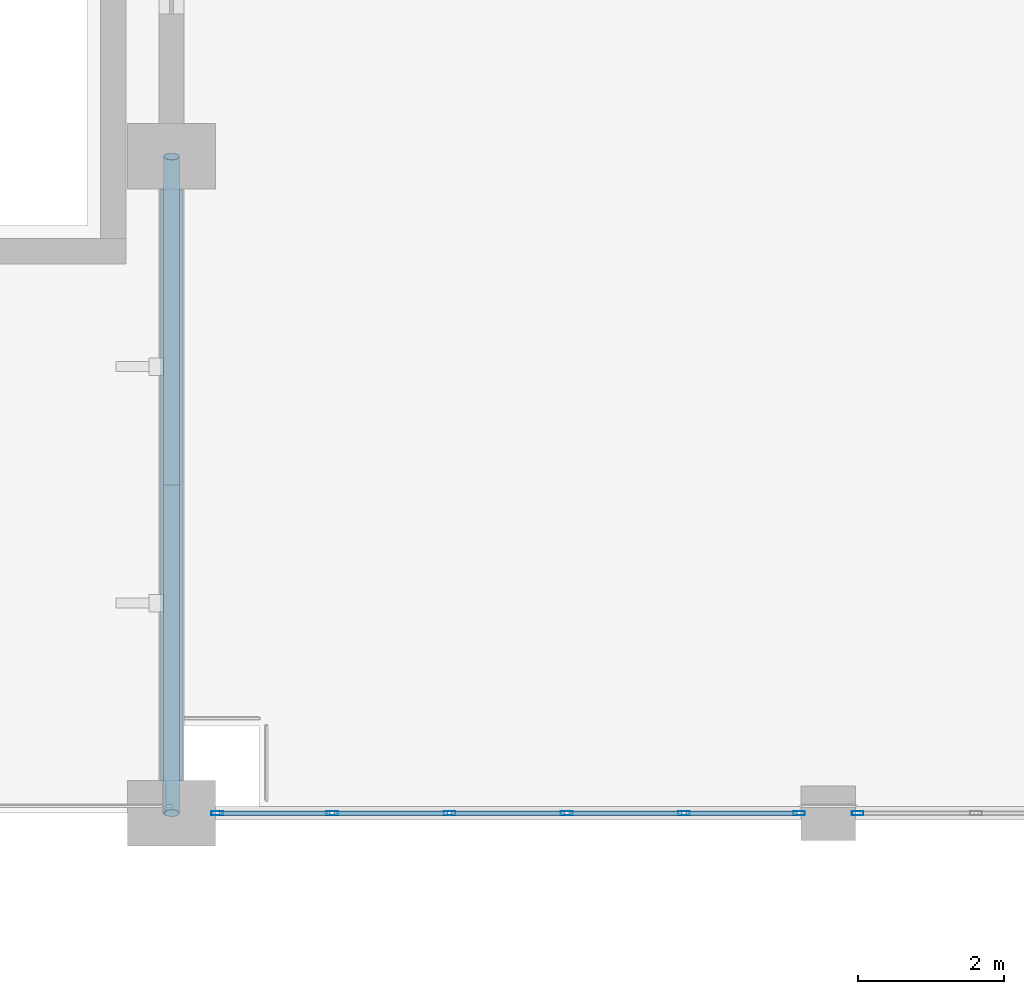
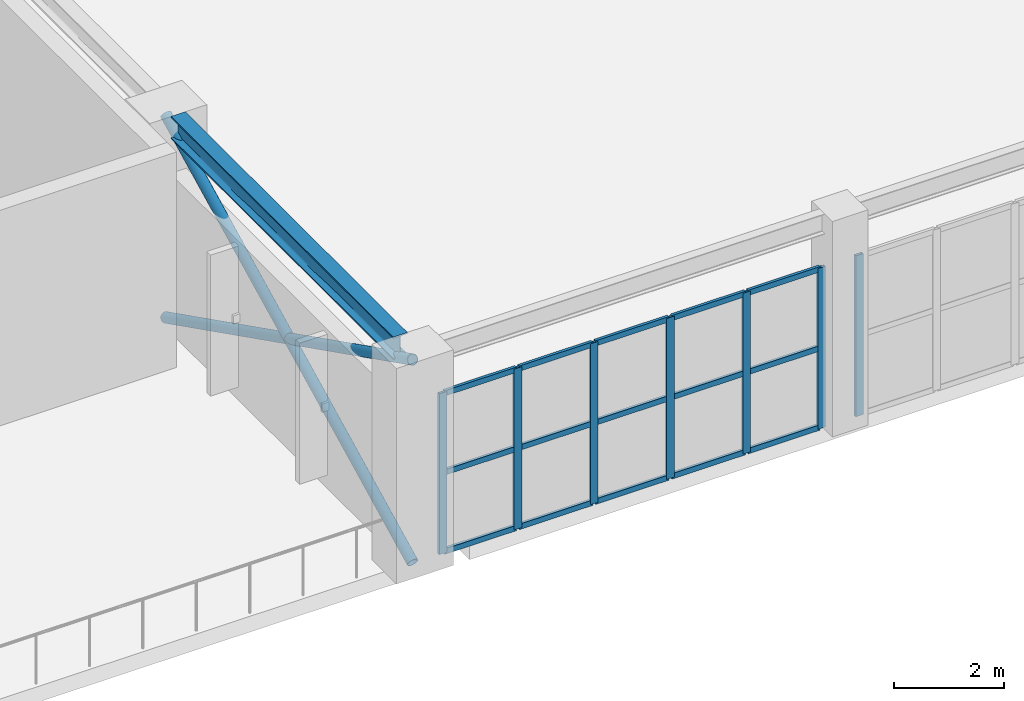
# One storey, part 4 of 89: 24 members, 1 beam, 2 elements without a shape of their own.
"""IFC4 building model written with IfcOpenShell, lengths in metres."""

from ifc_helpers import new_model, si_unit, direction, frame, origin, origin_2d, place, context, subcontext, project, spatial, hollow_rectangle, hollow_circle, i_section, extrude, material, layer, layer_set, material_profile, profile_set, type_object, element, aggregate, save


model = new_model("IFC4")

# Units and contexts
model_context = context("Model", 3, precision=1e-05, world=origin(), true_north=direction((0.0, 1.0)))
body_context = subcontext(model_context, "Body", "Model", "MODEL_VIEW")
ifc_project = project(units=[si_unit("LENGTHUNIT", "METRE"), si_unit("AREAUNIT", "SQUARE_METRE"), si_unit("VOLUMEUNIT", "CUBIC_METRE"), si_unit("PLANEANGLEUNIT", "RADIAN"), si_unit("MASSUNIT", "GRAM", prefix="KILO")], contexts=[model_context])

# Site, building, storey
site_placement = place(None, origin())
site = spatial("IfcSite", under=ifc_project, at=site_placement, CompositionType="ELEMENT")
building_placement = place(site_placement, origin())
building = spatial("IfcBuilding", under=site, at=building_placement, Name="Dornveld Trade and Exhibition Forum", CompositionType="ELEMENT")
storey_placement = place(building_placement, frame((0.0, 0.0, 12.0)))
storey = spatial("IfcBuildingStorey", under=building, at=storey_placement, Name="L02", CompositionType="ELEMENT", Elevation=12.0)

# Beam
ifc_material_1 = material(Name="Steel S355J2", Category="steel")
ifc_material_profile_1 = material_profile(ifc_material_1, i_section(OverallWidth=0.300048828125, OverallDepth=0.5, WebThickness=0.014404296875, FlangeThickness=0.028076171875, FilletRadius=0.027099609375, at=origin_2d()), Name="HEB 500")
ifc_profile_set_1 = profile_set([ifc_material_profile_1], Name="Steel S355J2")
beam_type = type_object("IfcBeamType", Name="BM-GIR-HEB500", PredefinedType="USERDEFINED", material=ifc_profile_set_1)
beam_placement = place(storey_placement, frame((27.0, 36.446044921875, 4.550048828125), z_axis=(0.0, 1.0, 0.0), x_axis=(-1.0, 0.0, 0.0)))
element("IfcBeam", 1, at=beam_placement, inside=storey, type_object=beam_type, Name="L02 Y-girder 1445", ObjectType="GIRDER", PredefinedType="USERDEFINED", context=body_context, shape_type="SweptSolid", body=[
    extrude(i_section(OverallWidth=0.300048828125, OverallDepth=0.5, WebThickness=0.014404296875, FlangeThickness=0.028076171875, FilletRadius=0.027099609375, at=origin_2d()), origin(), (0.0, 0.0, 1.0), 8.10791015625),
])

# Curtain wall, members
ifc_material_2 = material(Name="Dark-bronze anodised aluminium and low-E glass", Category="aluminium")
ifc_layer_1 = layer(ifc_material_2, 0.14501953125)
ifc_layer_set_1 = layer_set([ifc_layer_1], Name="Dark-bronze anodised aluminium and low-E glass")
curtain_wall_type_1 = type_object("IfcCurtainWallType", Name="CW-SYS-01", PredefinedType="USERDEFINED", material=ifc_layer_set_1)
curtain_wall_1_placement = place(storey_placement, origin())
curtain_wall_1 = element("IfcCurtainWall", 2, at=curtain_wall_1_placement, inside=storey, type_object=curtain_wall_type_1, Name="L02 unitised curtain wall 19", ObjectType="UNITISED_CURTAIN_WALL", PredefinedType="USERDEFINED")
ifc_material_3 = material(Name="Dark-bronze anodised aluminium", Category="aluminium")
ifc_material_profile_2 = material_profile(ifc_material_3, hollow_rectangle(XDim=0.06005859375, YDim=0.159912109375, WallThickness=0.00390625, at=origin_2d()), Name="RHS 160x60x4")
ifc_profile_set_2 = profile_set([ifc_material_profile_2], Name="Dark-bronze anodised aluminium")
member_type_1 = type_object("IfcMemberType", Name="CW-MUL-160", PredefinedType="MULLION", material=ifc_profile_set_2)
member_1_placement = place(storey_placement, frame((27.6259765625, 36.0, -0.00390625), z_axis=(0.0, 0.0, 1.0), x_axis=(0.0, 1.0, 0.0)))
member_1 = element("IfcMember", 3, at=member_1_placement, type_object=member_type_1, Name="CW-01 mullion 1", PredefinedType="MULLION", context=body_context, shape_type="SweptSolid", body=[
    extrude(hollow_rectangle(XDim=0.06005859375, YDim=0.159912109375, WallThickness=0.00390625, at=origin_2d()), origin(), (0.0, 0.0, 1.0), 3.583984375),
])
member_2_placement = place(storey_placement, frame((29.20263671875, 36.0, -0.00390625), z_axis=(0.0, 0.0, 1.0), x_axis=(0.0, 1.0, 0.0)))
member_2 = element("IfcMember", 4, at=member_2_placement, type_object=member_type_1, Name="CW-01 mullion 2", PredefinedType="MULLION", context=body_context, shape_type="SweptSolid", body=[
    extrude(hollow_rectangle(XDim=0.06005859375, YDim=0.159912109375, WallThickness=0.00390625, at=origin_2d()), origin(), (0.0, 0.0, 1.0), 3.583984375),
])
member_3_placement = place(storey_placement, frame((30.80908203125, 36.0, -0.00390625), z_axis=(0.0, 0.0, 1.0), x_axis=(0.0, 1.0, 0.0)))
member_3 = element("IfcMember", 5, at=member_3_placement, type_object=member_type_1, Name="CW-01 mullion 3", PredefinedType="MULLION", context=body_context, shape_type="SweptSolid", body=[
    extrude(hollow_rectangle(XDim=0.06005859375, YDim=0.159912109375, WallThickness=0.00390625, at=origin_2d()), origin(), (0.0, 0.0, 1.0), 3.583984375),
])
member_4_placement = place(storey_placement, frame((32.415771484375, 36.0, -0.00390625), z_axis=(0.0, 0.0, 1.0), x_axis=(0.0, 1.0, 0.0)))
member_4 = element("IfcMember", 6, at=member_4_placement, type_object=member_type_1, Name="CW-01 mullion 4", PredefinedType="MULLION", context=body_context, shape_type="SweptSolid", body=[
    extrude(hollow_rectangle(XDim=0.06005859375, YDim=0.159912109375, WallThickness=0.00390625, at=origin_2d()), origin(), (0.0, 0.0, 1.0), 3.583984375),
])
member_5_placement = place(storey_placement, frame((34.0224609375, 36.0, -0.00390625), z_axis=(0.0, 0.0, 1.0), x_axis=(0.0, 1.0, 0.0)))
member_5 = element("IfcMember", 7, at=member_5_placement, type_object=member_type_1, Name="CW-01 mullion 5", PredefinedType="MULLION", context=body_context, shape_type="SweptSolid", body=[
    extrude(hollow_rectangle(XDim=0.06005859375, YDim=0.159912109375, WallThickness=0.00390625, at=origin_2d()), origin(), (0.0, 0.0, 1.0), 3.583984375),
])
member_6_placement = place(storey_placement, frame((35.59912109375, 36.0, -0.00390625), z_axis=(0.0, 0.0, 1.0), x_axis=(0.0, 1.0, 0.0)))
member_6 = element("IfcMember", 8, at=member_6_placement, type_object=member_type_1, Name="CW-01 mullion 6", PredefinedType="MULLION", context=body_context, shape_type="SweptSolid", body=[
    extrude(hollow_rectangle(XDim=0.06005859375, YDim=0.159912109375, WallThickness=0.00390625, at=origin_2d()), origin(), (0.0, 0.0, 1.0), 3.583984375),
])

# Curtain wall, member
ifc_material_4 = material(Name="Dark-bronze anodised aluminium and low-E glass", Category="aluminium")
ifc_layer_2 = layer(ifc_material_4, 0.15087890625)
ifc_layer_set_2 = layer_set([ifc_layer_2], Name="Dark-bronze anodised aluminium and low-E glass")
curtain_wall_type_2 = type_object("IfcCurtainWallType", Name="CW-SYS-03", PredefinedType="USERDEFINED", material=ifc_layer_set_2)
curtain_wall_2_placement = place(storey_placement, origin())
curtain_wall_2 = element("IfcCurtainWall", 9, at=curtain_wall_2_placement, inside=storey, type_object=curtain_wall_type_2, Name="L02 unitised curtain wall 21", ObjectType="UNITISED_CURTAIN_WALL", PredefinedType="USERDEFINED")
member_7_placement = place(storey_placement, frame((36.40087890625, 36.0, -0.00390625), z_axis=(0.0, 0.0, 1.0), x_axis=(0.0, 1.0, 0.0)))
member_7 = element("IfcMember", 10, at=member_7_placement, type_object=member_type_1, Name="CW-03 mullion 1", PredefinedType="MULLION", context=body_context, shape_type="SweptSolid", body=[
    extrude(hollow_rectangle(XDim=0.06005859375, YDim=0.159912109375, WallThickness=0.00390625, at=origin_2d()), origin(), (0.0, 0.0, 1.0), 3.583984375),
])
aggregate(curtain_wall_2, [member_7])

# Member
ifc_material_5 = material(Name="Dark-bronze anodised aluminium", Category="aluminium")
ifc_material_profile_3 = material_profile(ifc_material_5, hollow_rectangle(XDim=0.06005859375, YDim=0.1201171875, WallThickness=0.00390625, at=origin_2d()), Name="RHS 120x60x4")
ifc_profile_set_3 = profile_set([ifc_material_profile_3], Name="Dark-bronze anodised aluminium")
member_type_2 = type_object("IfcMemberType", Name="CW-TRN-120", PredefinedType="USERDEFINED", material=ifc_profile_set_3)
member_8_placement = place(storey_placement, frame((27.656005859375, 36.0, 0.02587890625), z_axis=(1.0, 0.0, 0.0), x_axis=(0.0, 1.0, 0.0)))
member_8 = element("IfcMember", 11, at=member_8_placement, type_object=member_type_2, Name="CW-01 transom 1.1", ObjectType="TRANSOM", PredefinedType="USERDEFINED", context=body_context, shape_type="SweptSolid", body=[
    extrude(hollow_rectangle(XDim=0.06005859375, YDim=0.1201171875, WallThickness=0.00390625, at=origin_2d()), origin(), (0.0, 0.0, 1.0), 1.5166015625),
])

member_9_placement = place(storey_placement, frame((27.656005859375, 36.0, 1.7880859375), z_axis=(1.0, 0.0, 0.0), x_axis=(0.0, 1.0, 0.0)))
member_9 = element("IfcMember", 12, at=member_9_placement, type_object=member_type_2, Name="CW-01 transom 1.2", ObjectType="TRANSOM", PredefinedType="USERDEFINED", context=body_context, shape_type="SweptSolid", body=[
    extrude(hollow_rectangle(XDim=0.06005859375, YDim=0.1201171875, WallThickness=0.00390625, at=origin_2d()), origin(), (0.0, 0.0, 1.0), 1.5166015625),
])

member_10_placement = place(storey_placement, frame((27.656005859375, 36.0, 3.550048828125), z_axis=(1.0, 0.0, 0.0), x_axis=(0.0, 1.0, 0.0)))
member_10 = element("IfcMember", 13, at=member_10_placement, type_object=member_type_2, Name="CW-01 transom 1.3", ObjectType="TRANSOM", PredefinedType="USERDEFINED", context=body_context, shape_type="SweptSolid", body=[
    extrude(hollow_rectangle(XDim=0.06005859375, YDim=0.1201171875, WallThickness=0.00390625, at=origin_2d()), origin(), (0.0, 0.0, 1.0), 1.5166015625),
])

member_11_placement = place(storey_placement, frame((29.232666015625, 36.0, 0.02587890625), z_axis=(1.0, 0.0, 0.0), x_axis=(0.0, 1.0, 0.0)))
member_11 = element("IfcMember", 14, at=member_11_placement, type_object=member_type_2, Name="CW-01 transom 2.1", ObjectType="TRANSOM", PredefinedType="USERDEFINED", context=body_context, shape_type="SweptSolid", body=[
    extrude(hollow_rectangle(XDim=0.06005859375, YDim=0.1201171875, WallThickness=0.00390625, at=origin_2d()), origin(), (0.0, 0.0, 1.0), 1.546630859375),
])

member_12_placement = place(storey_placement, frame((29.232666015625, 36.0, 1.7880859375), z_axis=(1.0, 0.0, 0.0), x_axis=(0.0, 1.0, 0.0)))
member_12 = element("IfcMember", 15, at=member_12_placement, type_object=member_type_2, Name="CW-01 transom 2.2", ObjectType="TRANSOM", PredefinedType="USERDEFINED", context=body_context, shape_type="SweptSolid", body=[
    extrude(hollow_rectangle(XDim=0.06005859375, YDim=0.1201171875, WallThickness=0.00390625, at=origin_2d()), origin(), (0.0, 0.0, 1.0), 1.546630859375),
])

member_13_placement = place(storey_placement, frame((29.232666015625, 36.0, 3.550048828125), z_axis=(1.0, 0.0, 0.0), x_axis=(0.0, 1.0, 0.0)))
member_13 = element("IfcMember", 16, at=member_13_placement, type_object=member_type_2, Name="CW-01 transom 2.3", ObjectType="TRANSOM", PredefinedType="USERDEFINED", context=body_context, shape_type="SweptSolid", body=[
    extrude(hollow_rectangle(XDim=0.06005859375, YDim=0.1201171875, WallThickness=0.00390625, at=origin_2d()), origin(), (0.0, 0.0, 1.0), 1.546630859375),
])

member_14_placement = place(storey_placement, frame((30.839111328125, 36.0, 0.02587890625), z_axis=(1.0, 0.0, 0.0), x_axis=(0.0, 1.0, 0.0)))
member_14 = element("IfcMember", 17, at=member_14_placement, type_object=member_type_2, Name="CW-01 transom 3.1", ObjectType="TRANSOM", PredefinedType="USERDEFINED", context=body_context, shape_type="SweptSolid", body=[
    extrude(hollow_rectangle(XDim=0.06005859375, YDim=0.1201171875, WallThickness=0.00390625, at=origin_2d()), origin(), (0.0, 0.0, 1.0), 1.546630859375),
])

member_15_placement = place(storey_placement, frame((30.839111328125, 36.0, 1.7880859375), z_axis=(1.0, 0.0, 0.0), x_axis=(0.0, 1.0, 0.0)))
member_15 = element("IfcMember", 18, at=member_15_placement, type_object=member_type_2, Name="CW-01 transom 3.2", ObjectType="TRANSOM", PredefinedType="USERDEFINED", context=body_context, shape_type="SweptSolid", body=[
    extrude(hollow_rectangle(XDim=0.06005859375, YDim=0.1201171875, WallThickness=0.00390625, at=origin_2d()), origin(), (0.0, 0.0, 1.0), 1.546630859375),
])

member_16_placement = place(storey_placement, frame((30.839111328125, 36.0, 3.550048828125), z_axis=(1.0, 0.0, 0.0), x_axis=(0.0, 1.0, 0.0)))
member_16 = element("IfcMember", 19, at=member_16_placement, type_object=member_type_2, Name="CW-01 transom 3.3", ObjectType="TRANSOM", PredefinedType="USERDEFINED", context=body_context, shape_type="SweptSolid", body=[
    extrude(hollow_rectangle(XDim=0.06005859375, YDim=0.1201171875, WallThickness=0.00390625, at=origin_2d()), origin(), (0.0, 0.0, 1.0), 1.546630859375),
])

member_17_placement = place(storey_placement, frame((32.44580078125, 36.0, 0.02587890625), z_axis=(1.0, 0.0, 0.0), x_axis=(0.0, 1.0, 0.0)))
member_17 = element("IfcMember", 20, at=member_17_placement, type_object=member_type_2, Name="CW-01 transom 4.1", ObjectType="TRANSOM", PredefinedType="USERDEFINED", context=body_context, shape_type="SweptSolid", body=[
    extrude(hollow_rectangle(XDim=0.06005859375, YDim=0.1201171875, WallThickness=0.00390625, at=origin_2d()), origin(), (0.0, 0.0, 1.0), 1.546630859375),
])

member_18_placement = place(storey_placement, frame((32.44580078125, 36.0, 1.7880859375), z_axis=(1.0, 0.0, 0.0), x_axis=(0.0, 1.0, 0.0)))
member_18 = element("IfcMember", 21, at=member_18_placement, type_object=member_type_2, Name="CW-01 transom 4.2", ObjectType="TRANSOM", PredefinedType="USERDEFINED", context=body_context, shape_type="SweptSolid", body=[
    extrude(hollow_rectangle(XDim=0.06005859375, YDim=0.1201171875, WallThickness=0.00390625, at=origin_2d()), origin(), (0.0, 0.0, 1.0), 1.546630859375),
])

member_19_placement = place(storey_placement, frame((32.44580078125, 36.0, 3.550048828125), z_axis=(1.0, 0.0, 0.0), x_axis=(0.0, 1.0, 0.0)))
member_19 = element("IfcMember", 22, at=member_19_placement, type_object=member_type_2, Name="CW-01 transom 4.3", ObjectType="TRANSOM", PredefinedType="USERDEFINED", context=body_context, shape_type="SweptSolid", body=[
    extrude(hollow_rectangle(XDim=0.06005859375, YDim=0.1201171875, WallThickness=0.00390625, at=origin_2d()), origin(), (0.0, 0.0, 1.0), 1.546630859375),
])

member_20_placement = place(storey_placement, frame((34.052490234375, 36.0, 0.02587890625), z_axis=(1.0, 0.0, 0.0), x_axis=(0.0, 1.0, 0.0)))
member_20 = element("IfcMember", 23, at=member_20_placement, type_object=member_type_2, Name="CW-01 transom 5.1", ObjectType="TRANSOM", PredefinedType="USERDEFINED", context=body_context, shape_type="SweptSolid", body=[
    extrude(hollow_rectangle(XDim=0.06005859375, YDim=0.1201171875, WallThickness=0.00390625, at=origin_2d()), origin(), (0.0, 0.0, 1.0), 1.5166015625),
])

member_21_placement = place(storey_placement, frame((34.052490234375, 36.0, 1.7880859375), z_axis=(1.0, 0.0, 0.0), x_axis=(0.0, 1.0, 0.0)))
member_21 = element("IfcMember", 24, at=member_21_placement, type_object=member_type_2, Name="CW-01 transom 5.2", ObjectType="TRANSOM", PredefinedType="USERDEFINED", context=body_context, shape_type="SweptSolid", body=[
    extrude(hollow_rectangle(XDim=0.06005859375, YDim=0.1201171875, WallThickness=0.00390625, at=origin_2d()), origin(), (0.0, 0.0, 1.0), 1.5166015625),
])

member_22_placement = place(storey_placement, frame((34.052490234375, 36.0, 3.550048828125), z_axis=(1.0, 0.0, 0.0), x_axis=(0.0, 1.0, 0.0)))
member_22 = element("IfcMember", 25, at=member_22_placement, type_object=member_type_2, Name="CW-01 transom 5.3", ObjectType="TRANSOM", PredefinedType="USERDEFINED", context=body_context, shape_type="SweptSolid", body=[
    extrude(hollow_rectangle(XDim=0.06005859375, YDim=0.1201171875, WallThickness=0.00390625, at=origin_2d()), origin(), (0.0, 0.0, 1.0), 1.5166015625),
])

aggregate(curtain_wall_1, [member_1, member_2, member_3, member_4, member_5, member_6, member_8, member_9, member_10, member_11, member_12, member_13, member_14, member_15, member_16, member_17, member_18, member_19, member_20, member_21, member_22])

# Members
ifc_material_6 = material(Name="Steel S355J2", Category="steel")
ifc_material_profile_4 = material_profile(ifc_material_6, hollow_circle(Radius=0.109619140625, WallThickness=0.010009765625, at=origin_2d()), Name="CHS 219.1x10")
ifc_profile_set_4 = profile_set([ifc_material_profile_4], Name="Steel S355J2")
member_type_3 = type_object("IfcMemberType", Name="MEM-BRACE-219", PredefinedType="BRACE", material=ifc_profile_set_4)
for number, where, z_axis, x_axis, name in (
    (26, (27.0, 36.0, 0.0), (0.0, 0.893630663254, 0.448803116848), (-1.0, 0.0, 0.0), "L02 braced frame diagonal 5A"),
    (27, (27.0, 45.0, 0.0), (0.0, -0.893630663254, 0.448803116848), (1.0, 0.0, 0.0), "L02 braced frame diagonal 5B"),
):
    element("IfcMember", number, at=place(storey_placement, frame(where, z_axis=z_axis, x_axis=x_axis)), inside=storey, type_object=member_type_3, Name=name, PredefinedType="BRACE", context=body_context, shape_type="SweptSolid", body=[
        extrude(hollow_circle(Radius=0.109619140625, WallThickness=0.010009765625, at=origin_2d()), origin(), (0.0, 0.0, 1.0), 10.0712890625),
    ])

save(model, "model.ifc")
